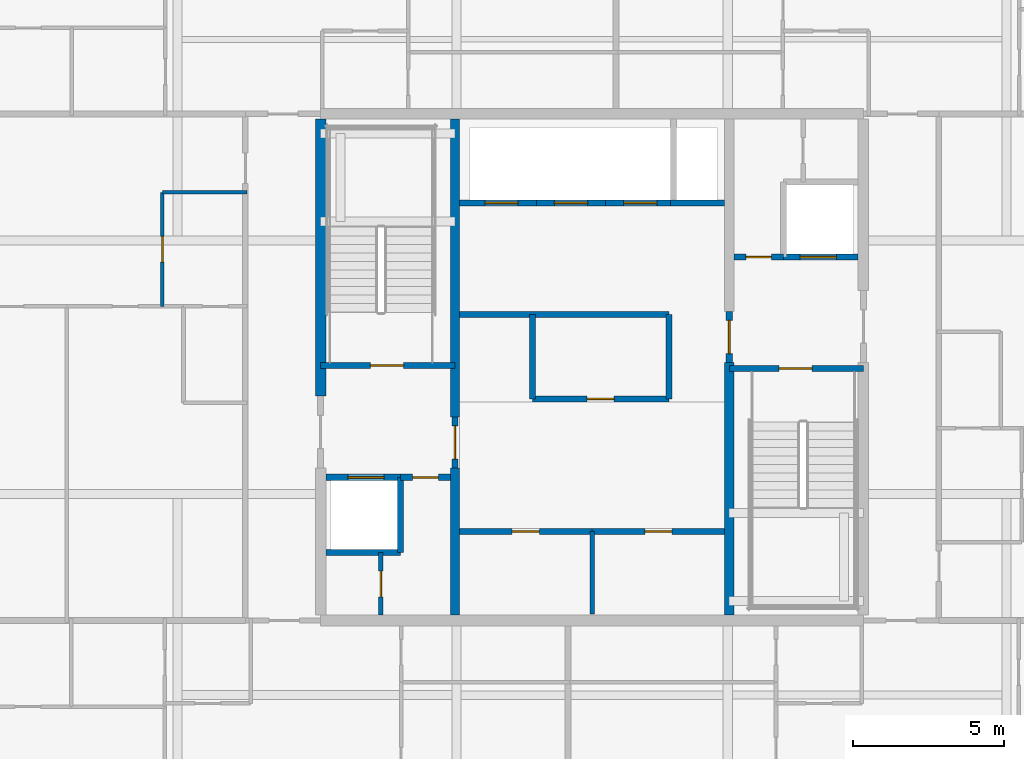
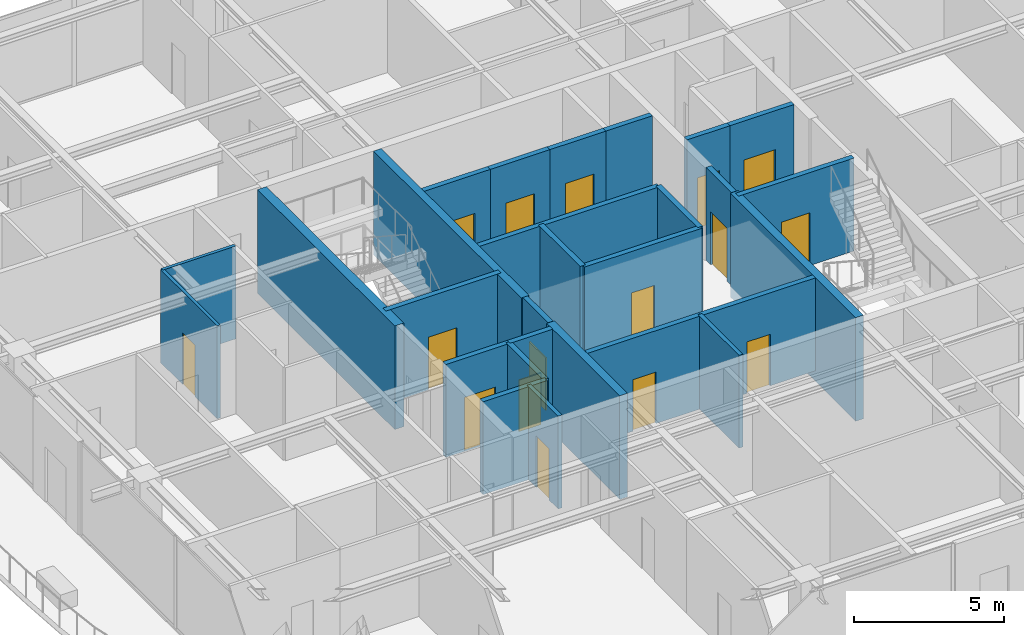
# One storey, part 26 of 36: 28 walls, 16 doors, 16 openings.
"""IFC4 building model written with IfcOpenShell, lengths in metres."""

import ifcopenshell
import ifcopenshell.guid

model = None  # the IFC model being written
_history = None  # IfcOwnerHistory: only IFC2X3 demands one
_inside = {}  # id of a spatial element -> (the spatial element, [elements in it])
_under = {}  # id of a project, library or spatial element -> (it, [spatial elements below it])
_declared = {}  # id of a project -> (the project, [libraries it declares])
_typed = {}  # id of a type object -> (the type object, [elements of that type])
_made_of = {}  # id of a material, layer set ... -> (it, [elements and type objects made of it])


def new_model(schema):
    """Start an empty IFC model of exactly this schema.

    Asked for "IFC4X3", IfcOpenShell would pick the latest addendum, in which some entities
    have other attributes; the version numbers below select the first issue.
    IFC2X3 requires an IfcOwnerHistory on every rooted entity: one is made here for all.
    """
    global model, _history
    if schema == "IFC4X3":
        model = ifcopenshell.file(schema_version=(4, 3, 0, 0))
    else:
        model = ifcopenshell.file(schema=schema)
    _inside.clear()
    _under.clear()
    _declared.clear()
    _typed.clear()
    _made_of.clear()
    _history = None
    if model.schema == "IFC2X3":
        org = make("IfcOrganization", Name="unknown")
        user = make(
            "IfcPersonAndOrganization",
            ThePerson=make("IfcPerson", FamilyName="unknown"),
            TheOrganization=org,
        )
        app = make(
            "IfcApplication",
            ApplicationDeveloper=org,
            Version="unknown",
            ApplicationFullName="unknown",
            ApplicationIdentifier="unknown",
        )
        _history = make(
            "IfcOwnerHistory",
            OwningUser=user,
            OwningApplication=app,
            ChangeAction="ADDED",
            CreationDate=0,
        )
    return model


def make(cls, **values):
    """One entity of the class cls with the attributes given. An attribute that is None is left unset."""
    return model.create_entity(
        cls, **{name: value for name, value in values.items() if value is not None}
    )


def rooted(cls, **values):
    """An entity with a GlobalId (a new one), such as an element, a storey or a relation."""
    return make(cls, GlobalId=ifcopenshell.guid.new(), OwnerHistory=_history, **values)


def si_unit(unit_type, name, prefix=None):
    """IfcSIUnit, for example si_unit("LENGTHUNIT", "METRE", prefix="MILLI")."""
    return make("IfcSIUnit", UnitType=unit_type, Prefix=prefix, Name=name)


def assignment(units):
    """IfcUnitAssignment: the units of a project."""
    return None if units is None else make("IfcUnitAssignment", Units=units)


def point(xyz):
    """IfcCartesianPoint."""
    return None if xyz is None else make("IfcCartesianPoint", Coordinates=xyz)


def direction(xyz):
    """IfcDirection."""
    return None if xyz is None else make("IfcDirection", DirectionRatios=xyz)


def frame(location, z_axis=None, x_axis=None):
    """IfcAxis2Placement3D, a coordinate frame: its origin and axes. An axis left out is left unset."""
    return make(
        "IfcAxis2Placement3D",
        Location=point(location),
        Axis=direction(z_axis),
        RefDirection=direction(x_axis),
    )


def frame_2d(location, x_axis=None):
    """IfcAxis2Placement2D, a coordinate frame in the plane: its origin and x axis."""
    return make(
        "IfcAxis2Placement2D", Location=point(location), RefDirection=direction(x_axis)
    )


def origin():
    """The frame at (0, 0, 0) with its axes left unset."""
    return frame((0.0, 0.0, 0.0))


def place(relative_to, where):
    """IfcLocalPlacement: puts the frame where relative to a parent placement (None: the world)."""
    return make(
        "IfcLocalPlacement", PlacementRelTo=relative_to, RelativePlacement=where
    )


def context(
    kind, dimensions, precision=None, world=None, true_north=None, identifier=None
):
    """IfcGeometricRepresentationContext, for example the 3D "Model" context."""
    return make(
        "IfcGeometricRepresentationContext",
        ContextIdentifier=identifier,
        ContextType=kind,
        CoordinateSpaceDimension=dimensions,
        Precision=precision,
        WorldCoordinateSystem=world,
        TrueNorth=true_north,
    )


def subcontext(parent, identifier, kind, view, scale=None):
    """IfcGeometricRepresentationSubContext, for example "Body" below "Model"."""
    return make(
        "IfcGeometricRepresentationSubContext",
        ContextIdentifier=identifier,
        ContextType=kind,
        ParentContext=parent,
        TargetScale=scale,
        TargetView=view,
    )


def project(units=None, contexts=None):
    """IfcProject with its units and contexts."""
    return rooted(
        "IfcProject",
        Name="project",
        RepresentationContexts=contexts,
        UnitsInContext=assignment(units),
    )


def spatial(cls, under=None, at=None, **own):
    """A site, building, storey or space (cls), placed at a placement, below another one or the project."""
    s = rooted(cls, ObjectPlacement=at, **own)
    if under is not None:
        _under.setdefault(under.id(), (under, []))[1].append(s)
    return s


def profile(cls, at=None, kind="AREA", **sizes):
    """A parametric profile (cls). Its sizes go by their IFC names, for example OverallWidth=200.0."""
    return make(cls, ProfileType=kind, Position=at, **sizes)


def rectangle(**sizes):
    """IfcRectangleProfileDef."""
    return profile("IfcRectangleProfileDef", **sizes)


def extrude(swept, where, along, depth):
    """IfcExtrudedAreaSolid: the profile swept, set in the frame where, extruded along a direction by depth."""
    return make(
        "IfcExtrudedAreaSolid",
        SweptArea=swept,
        Position=where,
        ExtrudedDirection=direction(along),
        Depth=depth,
    )


def shape(context_of_items, identifier, shape_type, items):
    """IfcShapeRepresentation: the items that make up one representation, for example the "Body"."""
    return make(
        "IfcShapeRepresentation",
        ContextOfItems=context_of_items,
        RepresentationIdentifier=identifier,
        RepresentationType=shape_type,
        Items=items,
    )


def source(mapping_origin, context_of_items, identifier, shape_type, items):
    """IfcRepresentationMap: a shape defined once, which mapped items show again and again."""
    return make(
        "IfcRepresentationMap",
        MappingOrigin=mapping_origin,
        MappedRepresentation=shape(context_of_items, identifier, shape_type, items),
    )


def transform(
    local_origin,
    x_axis=None,
    y_axis=None,
    z_axis=None,
    scale=None,
    scale2=None,
    scale3=None,
    uniform=True,
):
    """IfcCartesianTransformationOperator3D, or its non-uniform kind. x_axis, y_axis, z_axis: its Axis1, 2, 3."""
    if uniform:
        return make(
            "IfcCartesianTransformationOperator3D",
            Axis1=direction(x_axis),
            Axis2=direction(y_axis),
            LocalOrigin=point(local_origin),
            Scale=scale,
            Axis3=direction(z_axis),
        )
    return make(
        "IfcCartesianTransformationOperator3DnonUniform",
        Axis1=direction(x_axis),
        Axis2=direction(y_axis),
        LocalOrigin=point(local_origin),
        Scale=scale,
        Axis3=direction(z_axis),
        Scale2=scale2,
        Scale3=scale3,
    )


def mapped(mapping_source, mapping_target):
    """IfcMappedItem: shows the shape of a source again, moved by a transform."""
    return make(
        "IfcMappedItem", MappingSource=mapping_source, MappingTarget=mapping_target
    )


def material(Name=None, Category=None):
    """IfcMaterial."""
    return make("IfcMaterial", Name=Name, Category=Category)


def layer(
    of_material, thickness, ventilated=None, Name=None, Category=None, Priority=None
):
    """IfcMaterialLayer: one layer of a wall or slab, of a material (None: an air gap)."""
    return make(
        "IfcMaterialLayer",
        Material=of_material,
        LayerThickness=thickness,
        IsVentilated=ventilated,
        Name=Name,
        Category=Category,
        Priority=Priority,
    )


def layer_set(layers, Name=None):
    """IfcMaterialLayerSet."""
    return make("IfcMaterialLayerSet", MaterialLayers=layers, LayerSetName=Name)


def made_of(thing, what):
    """Note that an element or type object is made of a material, layer set ...; save() writes the relation."""
    if what is not None:
        _made_of.setdefault(what.id(), (what, []))[1].append(thing)
    return thing


def type_object(cls, material=None, **own):
    """A type object (cls), such as IfcWallType, which elements share."""
    return made_of(rooted(cls, **own), material)


def element(
    cls,
    number,
    at=None,
    inside=None,
    cuts=None,
    type_object=None,
    material=None,
    context=None,
    identifier="Body",
    shape_type=None,
    held_by="IfcProductDefinitionShape",
    body=None,
    shapes=None,
    **own,
):
    """One element of the class cls, such as IfcWall. Its Tag is "e" and its number.

    at: its placement. inside: the storey or other place that contains it. cuts: it is an
    opening in that element (IfcRelVoidsElement). A single representation is given by context,
    identifier, shape_type and body (its items); several are given by shapes. held_by: the class
    of the entity that holds the representations. save() writes the other relations.
    """
    e = rooted(cls, Tag="e%d" % number, ObjectPlacement=at, **own)
    if body is not None:
        shapes = [shape(context, identifier, shape_type, body)]
    if shapes is not None:
        e.Representation = make(held_by, Representations=shapes)
    if inside is not None:
        _inside.setdefault(inside.id(), (inside, []))[1].append(e)
    if cuts is not None:
        rooted(
            "IfcRelVoidsElement", RelatingBuildingElement=cuts, RelatedOpeningElement=e
        )
    if type_object is not None:
        _typed.setdefault(type_object.id(), (type_object, []))[1].append(e)
    return made_of(e, material)


def fill(opening, filler):
    """IfcRelFillsElement: the door or window that sits in an opening."""
    return rooted(
        "IfcRelFillsElement",
        RelatingOpeningElement=opening,
        RelatedBuildingElement=filler,
    )


def aggregate(whole, parts):
    """IfcRelAggregates: a whole, such as a stair, and the parts it consists of."""
    return rooted("IfcRelAggregates", RelatingObject=whole, RelatedObjects=parts)


def save(model, path):
    """Write the relations noted so far, then the file.

    IfcRelAggregates (storeys below a building ...), IfcRelContainedInSpatialStructure (elements
    in a storey), IfcRelDefinesByType, IfcRelAssociatesMaterial and IfcRelDeclares: one each for
    every whole, place, type object, material and project.
    """
    for whole, parts in _under.values():
        aggregate(whole, parts)
    for where, things in _inside.values():
        rooted(
            "IfcRelContainedInSpatialStructure",
            RelatedElements=things,
            RelatingStructure=where,
        )
    for kind, things in _typed.values():
        rooted("IfcRelDefinesByType", RelatedObjects=things, RelatingType=kind)
    for what, things in _made_of.values():
        rooted("IfcRelAssociatesMaterial", RelatedObjects=things, RelatingMaterial=what)
    for by, libraries in _declared.values():
        rooted("IfcRelDeclares", RelatingContext=by, RelatedDefinitions=libraries)
    model.write(path)


model = new_model("IFC4")

# Units and contexts
model_context = context("Model", 3, precision=1e-05, world=origin(), true_north=direction((0.0, 1.0)))
body_context = subcontext(model_context, "Body", "Model", "MODEL_VIEW")
ifc_project = project(units=[si_unit("LENGTHUNIT", "METRE"), si_unit("AREAUNIT", "SQUARE_METRE"), si_unit("VOLUMEUNIT", "CUBIC_METRE"), si_unit("PLANEANGLEUNIT", "RADIAN"), si_unit("MASSUNIT", "GRAM", prefix="KILO")], contexts=[model_context])

# Site, building, storey
site_placement = place(None, origin())
site = spatial("IfcSite", under=ifc_project, at=site_placement, CompositionType="ELEMENT")
building_placement = place(site_placement, origin())
building = spatial("IfcBuilding", under=site, at=building_placement, Name="Serunith Strait Residences", CompositionType="ELEMENT")
storey_placement = place(building_placement, frame((0.0, 0.0, 338.0)))
storey = spatial("IfcBuildingStorey", under=building, at=storey_placement, Name="L84", CompositionType="ELEMENT", Elevation=338.0)

# Wall, opening, door
ifc_material_1 = material(Name="Fire-rated masonry service closet wall", Category="masonry")
ifc_layer_1 = layer(ifc_material_1, 0.14990234375, Name="Fire-rated masonry service closet wall")
ifc_layer_set_1 = layer_set([ifc_layer_1], Name="Fire-rated masonry service closet wall")
wall_type_1 = type_object("IfcWallType", Name="IW-BOH-150", PredefinedType="PARTITIONING", material=ifc_layer_set_1)
wall_1_placement = place(storey_placement, frame((25.39990234375, 16.97509765625, 0.0), z_axis=(0.0, 0.0, 1.0), x_axis=(0.0, 1.0, 0.0)))
wall_1 = element("IfcWall", 1, at=wall_1_placement, inside=storey, type_object=wall_type_1, Name="L84 Partition Wall 011", PredefinedType="PARTITIONING", context=body_context, shape_type="SweptSolid", body=[
    extrude(rectangle(XDim=2.074951171875, YDim=0.14990234375, at=frame_2d((1.03759765625, 0.0))), origin(), (0.0, 0.0, 1.0), 3.7900390625),
])
opening_1_placement = place(wall_1_placement, frame((0.612060546875, 0.0, 0.0)))
opening_1 = element("IfcOpeningElement", 2, at=opening_1_placement, cuts=wall_1, Name="Opening FD-850", PredefinedType="OPENING", context=body_context, shape_type="SweptSolid", body=[
    extrude(rectangle(XDim=0.85009765625, YDim=2.10009765625, at=frame_2d((0.425048828125, 1.050048828125))), frame((0.0, 0.0849609375, 0.0), z_axis=(0.0, -1.0, 0.0), x_axis=(1.0, 0.0, 0.0)), (0.0, 0.0, 1.0), 0.169921875),
])
ifc_material_2 = material(Name="Powder-coated steel service closet door", Category="steel")
door_type_1 = type_object("IfcDoorType", Name="FD-BOH-850", OperationType="NOTDEFINED", PredefinedType="DOOR", material=ifc_material_2)
shared_shape_1 = source(origin(), body_context, "Body", "SweptSolid", [
    extrude(rectangle(XDim=0.85009765625, YDim=2.10009765625, at=frame_2d((0.425048828125, 1.050048828125))), frame((0.0, 0.02490234375, 0.0), z_axis=(0.0, -1.0, 0.0), x_axis=(1.0, 0.0, 0.0)), (0.0, 0.0, 1.0), 0.050048828125),
])
door_1_placement = place(opening_1_placement, origin())
door_1 = element("IfcDoor", 3, at=door_1_placement, inside=storey, type_object=door_type_1, Name="L84 Sprinkler Plant Door", OperationType="SINGLE_SWING_RIGHT", OverallHeight=2.10009765625, OverallWidth=0.85009765625, PredefinedType="DOOR", context=body_context, shape_type="MappedRepresentation", body=[
    mapped(shared_shape_1, transform((0.0, 0.0, 0.0), scale=1.0)),
])
fill(opening_1, door_1)

# Wall
wall_2_placement = place(storey_placement, frame((32.39990234375, 17.02001953125, 0.0), z_axis=(0.0, 0.0, 1.0), x_axis=(0.0, 1.0, 0.0)))
element("IfcWall", 4, at=wall_2_placement, inside=storey, type_object=wall_type_1, Name="L84 Partition Wall 015", PredefinedType="PARTITIONING", context=body_context, shape_type="SweptSolid", body=[
    extrude(rectangle(XDim=2.72998046875, YDim=0.14990234375, at=frame_2d((1.364990234375, 0.0))), origin(), (0.0, 0.0, 1.0), 3.7900390625),
])

# Wall, opening, door
ifc_material_3 = material(Name="Lightweight steel-stud gypsum partition", Category="steel")
ifc_layer_2 = layer(ifc_material_3, 0.1201171875, Name="Lightweight steel-stud gypsum partition")
ifc_layer_set_2 = layer_set([ifc_layer_2], Name="Lightweight steel-stud gypsum partition")
wall_type_2 = type_object("IfcWallType", Name="IW-PART-120", PredefinedType="PARTITIONING", material=ifc_layer_set_2)
wall_3_placement = place(storey_placement, frame((18.14990234375, 27.219970703125, 0.0), z_axis=(0.0, 0.0, 1.0), x_axis=(0.0, 1.0, 0.0)))
wall_3 = element("IfcWall", 5, at=wall_3_placement, inside=storey, type_object=wall_type_2, Name="L84 Partition Wall 076", PredefinedType="PARTITIONING", context=body_context, shape_type="SweptSolid", body=[
    extrude(rectangle(XDim=3.780029296875, YDim=0.1201171875, at=frame_2d((1.89013671875, 0.0))), origin(), (0.0, 0.0, 1.0), 3.7900390625),
])
opening_2_placement = place(wall_3_placement, frame((1.465087890625, 0.0, 0.0)))
opening_2 = element("IfcOpeningElement", 6, at=opening_2_placement, cuts=wall_3, Name="Opening D-RM850", PredefinedType="OPENING", context=body_context, shape_type="SweptSolid", body=[
    extrude(rectangle(XDim=0.85009765625, YDim=2.10009765625, at=frame_2d((0.425048828125, 1.050048828125))), frame((0.0, 0.070068359375, 0.0), z_axis=(0.0, -1.0, 0.0), x_axis=(1.0, 0.0, 0.0)), (0.0, 0.0, 1.0), 0.14013671875),
])
ifc_material_4 = material(Name="Engineered timber flush study and kitchen door", Category="wood")
door_type_2 = type_object("IfcDoorType", Name="ID-ROOM-850", OperationType="NOTDEFINED", PredefinedType="DOOR", material=ifc_material_4)
door_2_placement = place(opening_2_placement, origin())
door_2 = element("IfcDoor", 7, at=door_2_placement, inside=storey, type_object=door_type_2, Name="L84 Kitchen 8405 Door", OperationType="SINGLE_SWING_LEFT", OverallHeight=2.10009765625, OverallWidth=0.85009765625, PredefinedType="DOOR", context=body_context, shape_type="MappedRepresentation", body=[
    mapped(shared_shape_1, transform((0.0, 0.0, 0.0), scale=1.0)),
])
fill(opening_2, door_2)

# Wall
wall_4_placement = place(storey_placement, frame((18.14990234375, 31.0, 0.0), z_axis=(0.0, 0.0, 1.0), x_axis=(1.0, 0.0, 0.0)))
element("IfcWall", 8, at=wall_4_placement, inside=storey, type_object=wall_type_2, Name="L84 Partition Wall 077", PredefinedType="PARTITIONING", context=body_context, shape_type="SweptSolid", body=[
    extrude(rectangle(XDim=2.81005859375, YDim=0.1201171875, at=frame_2d((1.405029296875, 0.0))), origin(), (0.0, 0.0, 1.0), 3.7900390625),
])

# Wall, opening, door
ifc_material_5 = material(Name="Autoclaved aerated concrete blockwork", Category="masonry")
ifc_layer_3 = layer(ifc_material_5, 0.199951171875, Name="Autoclaved aerated concrete blockwork")
ifc_layer_set_3 = layer_set([ifc_layer_3], Name="Autoclaved aerated concrete blockwork")
wall_type_3 = type_object("IfcWallType", Name="IW-SHAFT-200", PredefinedType="STANDARD", material=ifc_layer_set_3)
wall_5_placement = place(storey_placement, frame((23.39990234375, 25.25, 0.0), z_axis=(0.0, 0.0, 1.0), x_axis=(1.0, 0.0, 0.0)))
wall_5 = element("IfcWall", 9, at=wall_5_placement, inside=storey, type_object=wall_type_3, Name="L84 ST-1 South Shaft Wall", PredefinedType="STANDARD", context=body_context, shape_type="SweptSolid", body=[
    extrude(rectangle(XDim=4.4501953125, YDim=0.199951171875, at=frame_2d((2.22509765625, 0.0))), origin(), (0.0, 0.0, 1.0), 3.7900390625),
])
opening_3_placement = place(wall_5_placement, frame((1.64990234375, 0.0, 0.0)))
opening_3 = element("IfcOpeningElement", 10, at=opening_3_placement, cuts=wall_5, Name="Opening FD-1100", PredefinedType="OPENING", context=body_context, shape_type="SweptSolid", body=[
    extrude(rectangle(XDim=1.10009765625, YDim=2.14990234375, at=frame_2d((0.550048828125, 1.074951171875))), frame((0.0, 0.10986328125, 0.0), z_axis=(0.0, -1.0, 0.0), x_axis=(1.0, 0.0, 0.0)), (0.0, 0.0, 1.0), 0.219970703125),
])
ifc_material_6 = material(Name="Galvanised steel fire door leaf", Category="steel")
door_type_3 = type_object("IfcDoorType", Name="FD-STAIR-1100", OperationType="NOTDEFINED", PredefinedType="DOOR", material=ifc_material_6)
shared_shape_2 = source(origin(), body_context, "Body", "SweptSolid", [
    extrude(rectangle(XDim=1.10009765625, YDim=2.14990234375, at=frame_2d((0.550048828125, 1.074951171875))), frame((0.0, 0.02490234375, 0.0), z_axis=(0.0, -1.0, 0.0), x_axis=(1.0, 0.0, 0.0)), (0.0, 0.0, 1.0), 0.050048828125),
])
door_3_placement = place(opening_3_placement, origin())
door_3 = element("IfcDoor", 11, at=door_3_placement, inside=storey, type_object=door_type_3, Name="L84 ST-1 Escape Stair Door", OperationType="SINGLE_SWING_RIGHT", OverallHeight=2.14990234375, OverallWidth=1.10009765625, PredefinedType="DOOR", context=body_context, shape_type="MappedRepresentation", body=[
    mapped(shared_shape_2, transform((0.0, 0.0, 0.0), scale=1.0)),
])
fill(opening_3, door_3)

wall_6_placement = place(storey_placement, frame((36.949951171875, 25.14990234375, 0.0), z_axis=(0.0, 0.0, 1.0), x_axis=(1.0, 0.0, 0.0)))
wall_6 = element("IfcWall", 12, at=wall_6_placement, inside=storey, type_object=wall_type_3, Name="L84 ST-2 North Shaft Wall", PredefinedType="STANDARD", context=body_context, shape_type="SweptSolid", body=[
    extrude(rectangle(XDim=4.449951171875, YDim=0.199951171875, at=frame_2d((2.22509765625, 0.0))), origin(), (0.0, 0.0, 1.0), 3.7900390625),
])
opening_4_placement = place(wall_6_placement, frame((1.64990234375, 0.0, 0.0)))
opening_4 = element("IfcOpeningElement", 13, at=opening_4_placement, cuts=wall_6, Name="Opening FD-1100", PredefinedType="OPENING", context=body_context, shape_type="SweptSolid", body=[
    extrude(rectangle(XDim=1.10009765625, YDim=2.14990234375, at=frame_2d((0.550048828125, 1.074951171875))), frame((0.0, 0.10986328125, 0.0), z_axis=(0.0, -1.0, 0.0), x_axis=(1.0, 0.0, 0.0)), (0.0, 0.0, 1.0), 0.219970703125),
])
door_4_placement = place(opening_4_placement, origin())
door_4 = element("IfcDoor", 14, at=door_4_placement, inside=storey, type_object=door_type_3, Name="L84 ST-2 Escape Stair Door", OperationType="SINGLE_SWING_LEFT", OverallHeight=2.14990234375, OverallWidth=1.10009765625, PredefinedType="DOOR", context=body_context, shape_type="MappedRepresentation", body=[
    mapped(shared_shape_2, transform((0.0, 0.0, 0.0), scale=1.0)),
])
fill(opening_4, door_4)

wall_7_placement = place(storey_placement, frame((23.574951171875, 21.550048828125, 0.0), z_axis=(0.0, 0.0, 1.0), x_axis=(1.0, 0.0, 0.0)))
wall_7 = element("IfcWall", 15, at=wall_7_placement, inside=storey, type_object=wall_type_3, Name="L84 FL-1 North Shaft Wall", PredefinedType="STANDARD", context=body_context, shape_type="SweptSolid", body=[
    extrude(rectangle(XDim=2.47509765625, YDim=0.199951171875, at=frame_2d((1.237548828125, 0.0))), origin(), (0.0, 0.0, 1.0), 3.7900390625),
])
opening_5_placement = place(wall_7_placement, frame((0.72509765625, 0.0, 0.0)))
opening_5 = element("IfcOpeningElement", 16, at=opening_5_placement, cuts=wall_7, Name="Opening LD-FF1200", PredefinedType="OPENING", context=body_context, shape_type="SweptSolid", body=[
    extrude(rectangle(XDim=1.199951171875, YDim=2.199951171875, at=frame_2d((0.60009765625, 1.10009765625))), frame((0.0, 0.10986328125, 0.0), z_axis=(0.0, -1.0, 0.0), x_axis=(1.0, 0.0, 0.0)), (0.0, 0.0, 1.0), 0.219970703125),
])
ifc_material_7 = material(Name="Brushed stainless steel landing door", Category="steel")
door_type_4 = type_object("IfcDoorType", Name="LD-FF-1200", OperationType="DOUBLE_DOOR_SLIDING", PredefinedType="DOOR", material=ifc_material_7)
shared_shape_3 = source(origin(), body_context, "Body", "SweptSolid", [
    extrude(rectangle(XDim=1.199951171875, YDim=2.199951171875, at=frame_2d((0.60009765625, 1.10009765625))), frame((0.0, 0.02490234375, 0.0), z_axis=(0.0, -1.0, 0.0), x_axis=(1.0, 0.0, 0.0)), (0.0, 0.0, 1.0), 0.050048828125),
])
door_5_placement = place(opening_5_placement, origin())
door_5 = element("IfcDoor", 17, at=door_5_placement, inside=storey, type_object=door_type_4, Name="L84 FL-1 Landing Door", OperationType="DOUBLE_DOOR_SLIDING", OverallHeight=2.199951171875, OverallWidth=1.199951171875, PredefinedType="DOOR", context=body_context, shape_type="MappedRepresentation", body=[
    mapped(shared_shape_3, transform((0.0, 0.0, 0.0), scale=1.0)),
])
fill(opening_5, door_5)

wall_8_placement = place(storey_placement, frame((38.75, 28.85009765625, 0.0), z_axis=(0.0, 0.0, 1.0), x_axis=(1.0, 0.0, 0.0)))
wall_8 = element("IfcWall", 18, at=wall_8_placement, inside=storey, type_object=wall_type_3, Name="L84 FL-2 South Shaft Wall", PredefinedType="STANDARD", context=body_context, shape_type="SweptSolid", body=[
    extrude(rectangle(XDim=2.47509765625, YDim=0.199951171875, at=frame_2d((1.237548828125, 0.0))), origin(), (0.0, 0.0, 1.0), 3.7900390625),
])
opening_6_placement = place(wall_8_placement, frame((0.550048828125, 0.0, 0.0)))
opening_6 = element("IfcOpeningElement", 19, at=opening_6_placement, cuts=wall_8, Name="Opening LD-FF1200", PredefinedType="OPENING", context=body_context, shape_type="SweptSolid", body=[
    extrude(rectangle(XDim=1.199951171875, YDim=2.199951171875, at=frame_2d((0.60009765625, 1.10009765625))), frame((0.0, 0.10986328125, 0.0), z_axis=(0.0, -1.0, 0.0), x_axis=(1.0, 0.0, 0.0)), (0.0, 0.0, 1.0), 0.219970703125),
])
door_6_placement = place(opening_6_placement, origin())
door_6 = element("IfcDoor", 20, at=door_6_placement, inside=storey, type_object=door_type_4, Name="L84 FL-2 Landing Door", OperationType="DOUBLE_DOOR_SLIDING", OverallHeight=2.199951171875, OverallWidth=1.199951171875, PredefinedType="DOOR", context=body_context, shape_type="MappedRepresentation", body=[
    mapped(shared_shape_3, transform((0.0, 0.0, 0.0), scale=1.0)),
])
fill(opening_6, door_6)

wall_9_placement = place(storey_placement, frame((28.0, 30.64990234375, 0.0), z_axis=(0.0, 0.0, 1.0), x_axis=(1.0, 0.0, 0.0)))
wall_9 = element("IfcWall", 21, at=wall_9_placement, inside=storey, type_object=wall_type_3, Name="L84 PL-7 South Shaft Wall", PredefinedType="STANDARD", context=body_context, shape_type="SweptSolid", body=[
    extrude(rectangle(XDim=2.550048828125, YDim=0.199951171875, at=frame_2d((1.27490234375, 0.0))), origin(), (0.0, 0.0, 1.0), 3.7900390625),
])
opening_7_placement = place(wall_9_placement, frame((0.85009765625, 0.0, 0.0)))
opening_7 = element("IfcOpeningElement", 22, at=opening_7_placement, cuts=wall_9, Name="Opening LD-1100", PredefinedType="OPENING", context=body_context, shape_type="SweptSolid", body=[
    extrude(rectangle(XDim=1.10009765625, YDim=2.199951171875, at=frame_2d((0.550048828125, 1.10009765625))), frame((0.0, 0.10986328125, 0.0), z_axis=(0.0, -1.0, 0.0), x_axis=(1.0, 0.0, 0.0)), (0.0, 0.0, 1.0), 0.219970703125),
])
ifc_material_8 = material(Name="Pale-champagne stainless landing door")
door_type_5 = type_object("IfcDoorType", Name="LD-LIFT-1100", OperationType="DOUBLE_DOOR_SLIDING", PredefinedType="DOOR", material=ifc_material_8)
shared_shape_4 = source(origin(), body_context, "Body", "SweptSolid", [
    extrude(rectangle(XDim=1.10009765625, YDim=2.199951171875, at=frame_2d((0.550048828125, 1.10009765625))), frame((0.0, 0.02490234375, 0.0), z_axis=(0.0, -1.0, 0.0), x_axis=(1.0, 0.0, 0.0)), (0.0, 0.0, 1.0), 0.050048828125),
])
door_7_placement = place(opening_7_placement, origin())
door_7 = element("IfcDoor", 23, at=door_7_placement, inside=storey, type_object=door_type_5, Name="L84 PL-7 Landing Door", OperationType="DOUBLE_DOOR_SLIDING", OverallHeight=2.199951171875, OverallWidth=1.10009765625, PredefinedType="DOOR", context=body_context, shape_type="MappedRepresentation", body=[
    mapped(shared_shape_4, transform((0.0, 0.0, 0.0), scale=1.0)),
])
fill(opening_7, door_7)

wall_10_placement = place(storey_placement, frame((30.550048828125, 30.64990234375, 0.0), z_axis=(0.0, 0.0, 1.0), x_axis=(1.0, 0.0, 0.0)))
wall_10 = element("IfcWall", 24, at=wall_10_placement, inside=storey, type_object=wall_type_3, Name="L84 PL-8 South Shaft Wall", PredefinedType="STANDARD", context=body_context, shape_type="SweptSolid", body=[
    extrude(rectangle(XDim=2.300048828125, YDim=0.199951171875, at=frame_2d((1.14990234375, 0.0))), origin(), (0.0, 0.0, 1.0), 3.7900390625),
])
opening_8_placement = place(wall_10_placement, frame((0.60009765625, 0.0, 0.0)))
opening_8 = element("IfcOpeningElement", 25, at=opening_8_placement, cuts=wall_10, Name="Opening LD-1100", PredefinedType="OPENING", context=body_context, shape_type="SweptSolid", body=[
    extrude(rectangle(XDim=1.10009765625, YDim=2.199951171875, at=frame_2d((0.550048828125, 1.10009765625))), frame((0.0, 0.10986328125, 0.0), z_axis=(0.0, -1.0, 0.0), x_axis=(1.0, 0.0, 0.0)), (0.0, 0.0, 1.0), 0.219970703125),
])
door_8_placement = place(opening_8_placement, origin())
door_8 = element("IfcDoor", 26, at=door_8_placement, inside=storey, type_object=door_type_5, Name="L84 PL-8 Landing Door", OperationType="DOUBLE_DOOR_SLIDING", OverallHeight=2.199951171875, OverallWidth=1.10009765625, PredefinedType="DOOR", context=body_context, shape_type="MappedRepresentation", body=[
    mapped(shared_shape_4, transform((0.0, 0.0, 0.0), scale=1.0)),
])
fill(opening_8, door_8)

wall_11_placement = place(storey_placement, frame((32.85009765625, 30.64990234375, 0.0), z_axis=(0.0, 0.0, 1.0), x_axis=(1.0, 0.0, 0.0)))
wall_11 = element("IfcWall", 27, at=wall_11_placement, inside=storey, type_object=wall_type_3, Name="L84 PL-9 South Shaft Wall", PredefinedType="STANDARD", context=body_context, shape_type="SweptSolid", body=[
    extrude(rectangle(XDim=2.14990234375, YDim=0.199951171875, at=frame_2d((1.074951171875, 0.0))), origin(), (0.0, 0.0, 1.0), 3.7900390625),
])
opening_9_placement = place(wall_11_placement, frame((0.60009765625, 0.0, 0.0)))
opening_9 = element("IfcOpeningElement", 28, at=opening_9_placement, cuts=wall_11, Name="Opening LD-1100", PredefinedType="OPENING", context=body_context, shape_type="SweptSolid", body=[
    extrude(rectangle(XDim=1.10009765625, YDim=2.199951171875, at=frame_2d((0.550048828125, 1.10009765625))), frame((0.0, 0.10986328125, 0.0), z_axis=(0.0, -1.0, 0.0), x_axis=(1.0, 0.0, 0.0)), (0.0, 0.0, 1.0), 0.219970703125),
])
door_9_placement = place(opening_9_placement, origin())
door_9 = element("IfcDoor", 29, at=door_9_placement, inside=storey, type_object=door_type_5, Name="L84 PL-9 Landing Door", OperationType="DOUBLE_DOOR_SLIDING", OverallHeight=2.199951171875, OverallWidth=1.10009765625, PredefinedType="DOOR", context=body_context, shape_type="MappedRepresentation", body=[
    mapped(shared_shape_4, transform((0.0, 0.0, 0.0), scale=1.0)),
])
fill(opening_9, door_9)

# Walls
wall_12_placement = place(storey_placement, frame((35.0, 30.64990234375, 0.0), z_axis=(0.0, 0.0, 1.0), x_axis=(1.0, 0.0, 0.0)))
element("IfcWall", 30, at=wall_12_placement, inside=storey, type_object=wall_type_3, Name="L84 SL-1 South Shaft Wall", PredefinedType="STANDARD", context=body_context, shape_type="SweptSolid", body=[
    extrude(rectangle(XDim=1.800048828125, YDim=0.199951171875, at=frame_2d((0.89990234375, 0.0))), origin(), (0.0, 0.0, 1.0), 3.7900390625),
])
wall_13_placement = place(storey_placement, frame((26.050048828125, 19.050048828125, 0.0), z_axis=(0.0, 0.0, 1.0), x_axis=(0.0, 1.0, 0.0)))
element("IfcWall", 31, at=wall_13_placement, inside=storey, type_object=wall_type_3, Name="L84 Partition Wall 001", PredefinedType="STANDARD", context=body_context, shape_type="SweptSolid", body=[
    extrude(rectangle(XDim=2.5, YDim=0.199951171875, at=frame_2d((1.25, 0.0))), origin(), (0.0, 0.0, 1.0), 3.7900390625),
])
wall_14_placement = place(storey_placement, frame((23.574951171875, 19.050048828125, 0.0), z_axis=(0.0, 0.0, 1.0), x_axis=(1.0, 0.0, 0.0)))
element("IfcWall", 32, at=wall_14_placement, inside=storey, type_object=wall_type_3, Name="L84 Partition Wall 002", PredefinedType="STANDARD", context=body_context, shape_type="SweptSolid", body=[
    extrude(rectangle(XDim=2.47509765625, YDim=0.199951171875, at=frame_2d((1.237548828125, 0.0))), origin(), (0.0, 0.0, 1.0), 3.7900390625),
])

# Wall, opening, door
wall_15_placement = place(storey_placement, frame((26.052001953125, 21.550048828125, 0.0), z_axis=(0.0, 0.0, 1.0), x_axis=(1.0, 0.0, 0.0)))
wall_15 = element("IfcWall", 33, at=wall_15_placement, inside=storey, type_object=wall_type_3, Name="L84 Partition Wall 003", PredefinedType="STANDARD", context=body_context, shape_type="SweptSolid", body=[
    extrude(rectangle(XDim=1.64794921875, YDim=0.199951171875, at=frame_2d((0.823974609375, 0.0))), origin(), (0.0, 0.0, 1.0), 3.7900390625),
])
opening_10_placement = place(wall_15_placement, frame((0.39892578125, 0.0, 0.0)))
opening_10 = element("IfcOpeningElement", 34, at=opening_10_placement, cuts=wall_15, Name="Opening FD-850", PredefinedType="OPENING", context=body_context, shape_type="SweptSolid", body=[
    extrude(rectangle(XDim=0.85009765625, YDim=2.10009765625, at=frame_2d((0.425048828125, 1.050048828125))), frame((0.0, 0.10986328125, 0.0), z_axis=(0.0, -1.0, 0.0), x_axis=(1.0, 0.0, 0.0)), (0.0, 0.0, 1.0), 0.219970703125),
])
door_10_placement = place(opening_10_placement, origin())
door_10 = element("IfcDoor", 35, at=door_10_placement, inside=storey, type_object=door_type_1, Name="L84 South-West Core Service Door", OperationType="SINGLE_SWING_RIGHT", OverallHeight=2.10009765625, OverallWidth=0.85009765625, PredefinedType="DOOR", context=body_context, shape_type="MappedRepresentation", body=[
    mapped(shared_shape_1, transform((0.0, 0.0, 0.0), scale=1.0)),
])
fill(opening_10, door_10)

wall_16_placement = place(storey_placement, frame((37.10009765625, 28.85009765625, 0.0), z_axis=(0.0, 0.0, 1.0), x_axis=(1.0, 0.0, 0.0)))
wall_16 = element("IfcWall", 36, at=wall_16_placement, inside=storey, type_object=wall_type_3, Name="L84 Partition Wall 006", PredefinedType="STANDARD", context=body_context, shape_type="SweptSolid", body=[
    extrude(rectangle(XDim=1.64794921875, YDim=0.199951171875, at=frame_2d((0.823974609375, 0.0))), origin(), (0.0, 0.0, 1.0), 3.7900390625),
])
opening_11_placement = place(wall_16_placement, frame((0.39892578125, 0.0, 0.0)))
opening_11 = element("IfcOpeningElement", 37, at=opening_11_placement, cuts=wall_16, Name="Opening FD-850", PredefinedType="OPENING", context=body_context, shape_type="SweptSolid", body=[
    extrude(rectangle(XDim=0.85009765625, YDim=2.10009765625, at=frame_2d((0.425048828125, 1.050048828125))), frame((0.0, 0.10986328125, 0.0), z_axis=(0.0, -1.0, 0.0), x_axis=(1.0, 0.0, 0.0)), (0.0, 0.0, 1.0), 0.219970703125),
])
door_11_placement = place(opening_11_placement, origin())
door_11 = element("IfcDoor", 38, at=door_11_placement, inside=storey, type_object=door_type_1, Name="L84 North-East Core Service Door", OperationType="SINGLE_SWING_LEFT", OverallHeight=2.10009765625, OverallWidth=0.85009765625, PredefinedType="DOOR", context=body_context, shape_type="MappedRepresentation", body=[
    mapped(shared_shape_1, transform((0.0, 0.0, 0.0), scale=1.0)),
])
fill(opening_11, door_11)

wall_17_placement = place(storey_placement, frame((27.85009765625, 21.85205078125, 0.0), z_axis=(0.0, 0.0, 1.0), x_axis=(0.0, 1.0, 0.0)))
wall_17 = element("IfcWall", 39, at=wall_17_placement, inside=storey, type_object=wall_type_3, Name="L84 Partition Wall 009", PredefinedType="STANDARD", context=body_context, shape_type="SweptSolid", body=[
    extrude(rectangle(XDim=1.696044921875, YDim=0.199951171875, at=frame_2d((0.84814453125, 0.0))), origin(), (0.0, 0.0, 1.0), 3.7900390625),
])
opening_12_placement = place(wall_17_placement, frame((0.298095703125, 0.0, 0.0)))
opening_12 = element("IfcOpeningElement", 40, at=opening_12_placement, cuts=wall_17, Name="Opening FD-FFL", PredefinedType="OPENING", context=body_context, shape_type="SweptSolid", body=[
    extrude(rectangle(XDim=1.10009765625, YDim=2.14990234375, at=frame_2d((0.550048828125, 1.074951171875))), frame((0.0, 0.10986328125, 0.0), z_axis=(0.0, -1.0, 0.0), x_axis=(1.0, 0.0, 0.0)), (0.0, 0.0, 1.0), 0.219970703125),
])
ifc_material_9 = material(Name="Glazed steel smoke-lobby fire door", Category="steel")
door_type_6 = type_object("IfcDoorType", Name="FD-FFL-1100", OperationType="NOTDEFINED", PredefinedType="DOOR", material=ifc_material_9)
door_12_placement = place(opening_12_placement, origin())
door_12 = element("IfcDoor", 41, at=door_12_placement, inside=storey, type_object=door_type_6, Name="L84 FFL-1 Lift Lobby Door", OperationType="SINGLE_SWING_RIGHT", OverallHeight=2.14990234375, OverallWidth=1.10009765625, PredefinedType="DOOR", context=body_context, shape_type="MappedRepresentation", body=[
    mapped(shared_shape_2, transform((0.0, 0.0, 0.0), scale=1.0)),
])
fill(opening_12, door_12)

wall_18_placement = place(storey_placement, frame((36.949951171875, 25.35205078125, 0.0), z_axis=(0.0, 0.0, 1.0), x_axis=(0.0, 1.0, 0.0)))
wall_18 = element("IfcWall", 42, at=wall_18_placement, inside=storey, type_object=wall_type_3, Name="L84 Partition Wall 010", PredefinedType="STANDARD", context=body_context, shape_type="SweptSolid", body=[
    extrude(rectangle(XDim=1.696044921875, YDim=0.199951171875, at=frame_2d((0.84814453125, 0.0))), origin(), (0.0, 0.0, 1.0), 3.7900390625),
])
opening_13_placement = place(wall_18_placement, frame((0.298095703125, 0.0, 0.0)))
opening_13 = element("IfcOpeningElement", 43, at=opening_13_placement, cuts=wall_18, Name="Opening FD-FFL", PredefinedType="OPENING", context=body_context, shape_type="SweptSolid", body=[
    extrude(rectangle(XDim=1.10009765625, YDim=2.14990234375, at=frame_2d((0.550048828125, 1.074951171875))), frame((0.0, 0.10986328125, 0.0), z_axis=(0.0, -1.0, 0.0), x_axis=(1.0, 0.0, 0.0)), (0.0, 0.0, 1.0), 0.219970703125),
])
door_13_placement = place(opening_13_placement, origin())
door_13 = element("IfcDoor", 44, at=door_13_placement, inside=storey, type_object=door_type_6, Name="L84 FFL-2 Lift Lobby Door", OperationType="SINGLE_SWING_LEFT", OverallHeight=2.14990234375, OverallWidth=1.10009765625, PredefinedType="DOOR", context=body_context, shape_type="MappedRepresentation", body=[
    mapped(shared_shape_2, transform((0.0, 0.0, 0.0), scale=1.0)),
])
fill(opening_13, door_13)

wall_19_placement = place(storey_placement, frame((28.0, 19.75, 0.0), z_axis=(0.0, 0.0, 1.0), x_axis=(1.0, 0.0, 0.0)))
wall_19 = element("IfcWall", 45, at=wall_19_placement, inside=storey, type_object=wall_type_3, Name="L84 Partition Wall 013", PredefinedType="STANDARD", context=body_context, shape_type="SweptSolid", body=[
    extrude(rectangle(XDim=4.39990234375, YDim=0.199951171875, at=frame_2d((2.199951171875, 0.0))), origin(), (0.0, 0.0, 1.0), 3.7900390625),
])
opening_14_placement = place(wall_19_placement, frame((1.75, 0.0, 0.0)))
opening_14 = element("IfcOpeningElement", 46, at=opening_14_placement, cuts=wall_19, Name="Opening FD-900", PredefinedType="OPENING", context=body_context, shape_type="SweptSolid", body=[
    extrude(rectangle(XDim=0.89990234375, YDim=2.10009765625, at=frame_2d((0.449951171875, 1.050048828125))), frame((0.0, 0.10986328125, 0.0), z_axis=(0.0, -1.0, 0.0), x_axis=(1.0, 0.0, 0.0)), (0.0, 0.0, 1.0), 0.219970703125),
])
ifc_material_10 = material(Name="Powder-coated steel riser door", Category="steel")
door_type_7 = type_object("IfcDoorType", Name="FD-BOH-900", OperationType="NOTDEFINED", PredefinedType="DOOR", material=ifc_material_10)
shared_shape_5 = source(origin(), body_context, "Body", "SweptSolid", [
    extrude(rectangle(XDim=0.89990234375, YDim=2.10009765625, at=frame_2d((0.449951171875, 1.050048828125))), frame((0.0, 0.02490234375, 0.0), z_axis=(0.0, -1.0, 0.0), x_axis=(1.0, 0.0, 0.0)), (0.0, 0.0, 1.0), 0.050048828125),
])
door_14_placement = place(opening_14_placement, origin())
door_14 = element("IfcDoor", 47, at=door_14_placement, inside=storey, type_object=door_type_7, Name="L84 Fan-Coil Plant Door", OperationType="SINGLE_SWING_RIGHT", OverallHeight=2.10009765625, OverallWidth=0.89990234375, PredefinedType="DOOR", context=body_context, shape_type="MappedRepresentation", body=[
    mapped(shared_shape_5, transform((0.0, 0.0, 0.0), scale=1.0)),
])
fill(opening_14, door_14)

wall_20_placement = place(storey_placement, frame((32.402099609375, 19.75, 0.0), z_axis=(0.0, 0.0, 1.0), x_axis=(1.0, 0.0, 0.0)))
wall_20 = element("IfcWall", 48, at=wall_20_placement, inside=storey, type_object=wall_type_3, Name="L84 Partition Wall 014", PredefinedType="STANDARD", context=body_context, shape_type="SweptSolid", body=[
    extrude(rectangle(XDim=4.39794921875, YDim=0.199951171875, at=frame_2d((2.198974609375, 0.0))), origin(), (0.0, 0.0, 1.0), 3.7900390625),
])
opening_15_placement = place(wall_20_placement, frame((1.7490234375, 0.0, 0.0)))
opening_15 = element("IfcOpeningElement", 49, at=opening_15_placement, cuts=wall_20, Name="Opening FD-900", PredefinedType="OPENING", context=body_context, shape_type="SweptSolid", body=[
    extrude(rectangle(XDim=0.89990234375, YDim=2.10009765625, at=frame_2d((0.449951171875, 1.050048828125))), frame((0.0, 0.10986328125, 0.0), z_axis=(0.0, -1.0, 0.0), x_axis=(1.0, 0.0, 0.0)), (0.0, 0.0, 1.0), 0.219970703125),
])
door_15_placement = place(opening_15_placement, origin())
door_15 = element("IfcDoor", 50, at=door_15_placement, inside=storey, type_object=door_type_7, Name="L84 Battery UPS Plant Door", OperationType="SINGLE_SWING_LEFT", OverallHeight=2.10009765625, OverallWidth=0.89990234375, PredefinedType="DOOR", context=body_context, shape_type="MappedRepresentation", body=[
    mapped(shared_shape_5, transform((0.0, 0.0, 0.0), scale=1.0)),
])
fill(opening_15, door_15)

# Walls
wall_21_placement = place(storey_placement, frame((28.0, 26.949951171875, 0.0), z_axis=(0.0, 0.0, 1.0), x_axis=(1.0, 0.0, 0.0)))
element("IfcWall", 51, at=wall_21_placement, inside=storey, type_object=wall_type_3, Name="L84 Partition Wall 016", PredefinedType="STANDARD", context=body_context, shape_type="SweptSolid", body=[
    extrude(rectangle(XDim=6.949951171875, YDim=0.199951171875, at=frame_2d((3.47509765625, 0.0))), origin(), (0.0, 0.0, 1.0), 3.7900390625),
])
wall_22_placement = place(storey_placement, frame((34.949951171875, 24.14990234375, 0.0), z_axis=(0.0, 0.0, 1.0), x_axis=(0.0, 1.0, 0.0)))
element("IfcWall", 52, at=wall_22_placement, inside=storey, type_object=wall_type_3, Name="L84 Partition Wall 017", PredefinedType="STANDARD", context=body_context, shape_type="SweptSolid", body=[
    extrude(rectangle(XDim=2.800048828125, YDim=0.199951171875, at=frame_2d((1.39990234375, 0.0))), origin(), (0.0, 0.0, 1.0), 3.7900390625),
])

# Wall, opening, door
wall_23_placement = place(storey_placement, frame((30.419921875, 24.14990234375, 0.0), z_axis=(0.0, 0.0, 1.0), x_axis=(1.0, 0.0, 0.0)))
wall_23 = element("IfcWall", 53, at=wall_23_placement, inside=storey, type_object=wall_type_3, Name="L84 Partition Wall 018", PredefinedType="STANDARD", context=body_context, shape_type="SweptSolid", body=[
    extrude(rectangle(XDim=4.530029296875, YDim=0.199951171875, at=frame_2d((2.26513671875, 0.0))), origin(), (0.0, 0.0, 1.0), 3.7900390625),
])
opening_16_placement = place(wall_23_placement, frame((1.81494140625, 0.0, 0.0)))
opening_16 = element("IfcOpeningElement", 54, at=opening_16_placement, cuts=wall_23, Name="Opening FD-900", PredefinedType="OPENING", context=body_context, shape_type="SweptSolid", body=[
    extrude(rectangle(XDim=0.89990234375, YDim=2.10009765625, at=frame_2d((0.449951171875, 1.050048828125))), frame((0.0, 0.10986328125, 0.0), z_axis=(0.0, -1.0, 0.0), x_axis=(1.0, 0.0, 0.0)), (0.0, 0.0, 1.0), 0.219970703125),
])
door_16_placement = place(opening_16_placement, origin())
door_16 = element("IfcDoor", 55, at=door_16_placement, inside=storey, type_object=door_type_7, Name="L84 Housekeeping Linen Door", OperationType="SINGLE_SWING_RIGHT", OverallHeight=2.10009765625, OverallWidth=0.89990234375, PredefinedType="DOOR", context=body_context, shape_type="MappedRepresentation", body=[
    mapped(shared_shape_5, transform((0.0, 0.0, 0.0), scale=1.0)),
])
fill(opening_16, door_16)

# Walls
wall_24_placement = place(storey_placement, frame((30.419921875, 24.14990234375, 0.0), z_axis=(0.0, 0.0, 1.0), x_axis=(0.0, 1.0, 0.0)))
element("IfcWall", 56, at=wall_24_placement, inside=storey, type_object=wall_type_3, Name="L84 Partition Wall 019", PredefinedType="STANDARD", context=body_context, shape_type="SweptSolid", body=[
    extrude(rectangle(XDim=2.800048828125, YDim=0.199951171875, at=frame_2d((1.39990234375, 0.0))), origin(), (0.0, 0.0, 1.0), 3.7900390625),
])
ifc_material_11 = material(Name="Concrete C60/75", Category="concrete")
ifc_layer_4 = layer(ifc_material_11, 0.300048828125, Name="Concrete C60/75")
ifc_layer_set_4 = layer_set([ifc_layer_4], Name="Concrete C60/75")
wall_type_4 = type_object("IfcWallType", Name="SW-300-C60", PredefinedType="SHEAR", material=ifc_layer_set_4)
wall_25_placement = place(storey_placement, frame((27.85009765625, 16.97509765625, -0.43994140625), z_axis=(0.0, 0.0, 1.0), x_axis=(0.0, 1.0, 0.0)))
element("IfcWall", 57, at=wall_25_placement, inside=storey, type_object=wall_type_4, Name="L84 Core Internal West Web South Pier", PredefinedType="SHEAR", context=body_context, shape_type="SweptSolid", body=[
    extrude(rectangle(XDim=4.875, YDim=0.300048828125, at=frame_2d((2.4375, 0.0))), origin(), (0.0, 0.0, 1.0), 4.22802734375),
])
wall_26_placement = place(storey_placement, frame((27.85009765625, 23.550048828125, -0.43994140625), z_axis=(0.0, 0.0, 1.0), x_axis=(0.0, 1.0, 0.0)))
element("IfcWall", 58, at=wall_26_placement, inside=storey, type_object=wall_type_4, Name="L84 Core Internal West Web North Pier", PredefinedType="SHEAR", context=body_context, shape_type="SweptSolid", body=[
    extrude(rectangle(XDim=9.875, YDim=0.300048828125, at=frame_2d((4.9375, 0.0))), origin(), (0.0, 0.0, 1.0), 4.22802734375),
])
wall_27_placement = place(storey_placement, frame((36.949951171875, 16.97509765625, -0.43994140625), z_axis=(0.0, 0.0, 1.0), x_axis=(0.0, 1.0, 0.0)))
element("IfcWall", 59, at=wall_27_placement, inside=storey, type_object=wall_type_4, Name="L84 Core Internal East Web South Pier", PredefinedType="SHEAR", context=body_context, shape_type="SweptSolid", body=[
    extrude(rectangle(XDim=8.375, YDim=0.300048828125, at=frame_2d((4.1875, 0.0))), origin(), (0.0, 0.0, 1.0), 4.22802734375),
])
ifc_layer_5 = layer(ifc_material_11, 0.35009765625, Name="Concrete C60/75")
ifc_layer_set_5 = layer_set([ifc_layer_5], Name="Concrete C60/75")
wall_type_5 = type_object("IfcWallType", Name="SW-350-C60", PredefinedType="SHEAR", material=ifc_layer_set_5)
wall_28_placement = place(storey_placement, frame((23.39990234375, 24.25, -0.43994140625), z_axis=(0.0, 0.0, 1.0), x_axis=(0.0, 1.0, 0.0)))
element("IfcWall", 60, at=wall_28_placement, inside=storey, type_object=wall_type_5, Name="L84 Core West Shear Wall North Pier", PredefinedType="SHEAR", context=body_context, shape_type="SweptSolid", body=[
    extrude(rectangle(XDim=9.175048828125, YDim=0.35009765625, at=frame_2d((4.58740234375, 0.0))), origin(), (0.0, 0.0, 1.0), 4.22802734375),
])

save(model, "model.ifc")
